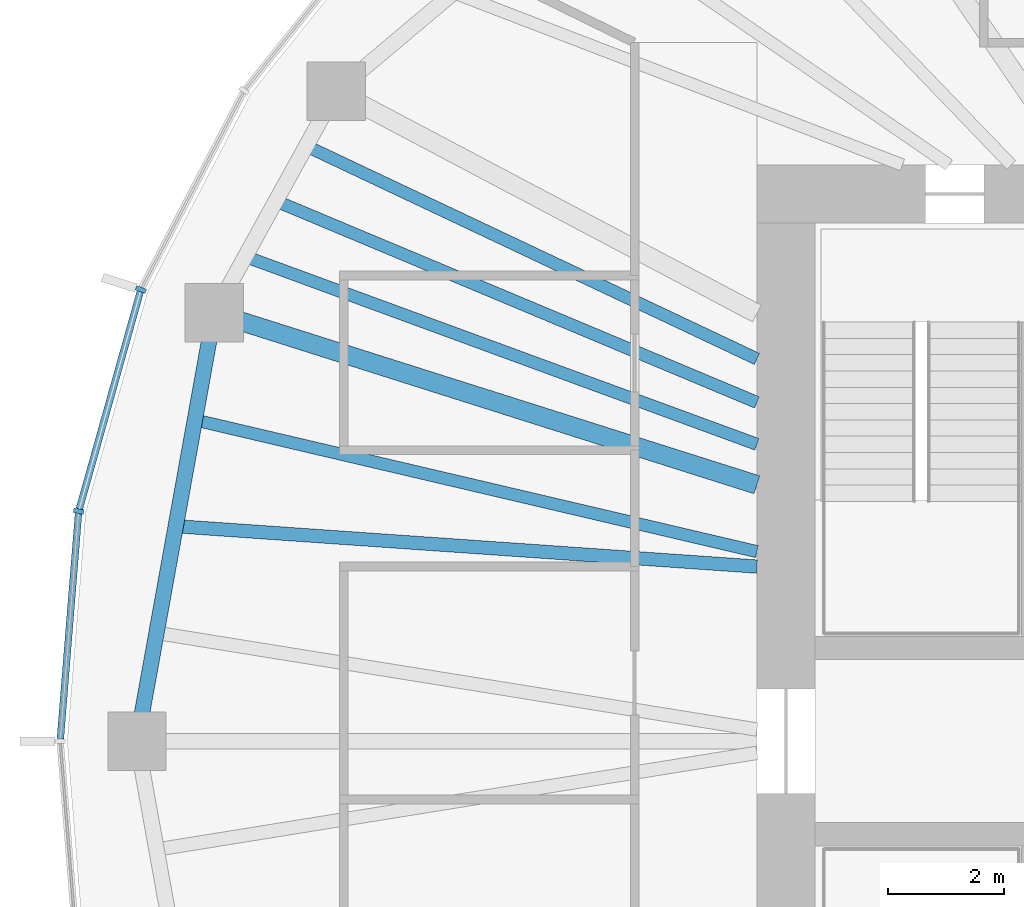
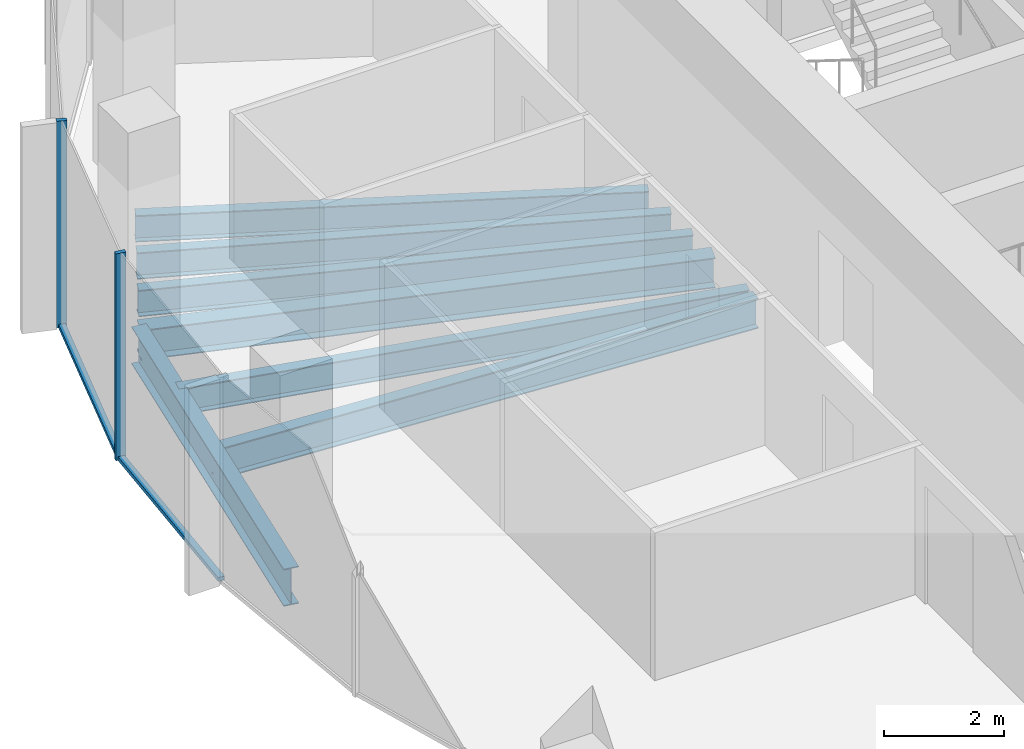
# One storey, part 3 of 11: 7 beams, 4 members, 1 element without a shape of its own.
"""IFC4 building model written with IfcOpenShell, lengths in metres."""

import ifcopenshell
import ifcopenshell.guid

model = None  # the IFC model being written
_history = None  # IfcOwnerHistory: only IFC2X3 demands one
_inside = {}  # id of a spatial element -> (the spatial element, [elements in it])
_under = {}  # id of a project, library or spatial element -> (it, [spatial elements below it])
_declared = {}  # id of a project -> (the project, [libraries it declares])
_typed = {}  # id of a type object -> (the type object, [elements of that type])
_made_of = {}  # id of a material, layer set ... -> (it, [elements and type objects made of it])


def new_model(schema):
    """Start an empty IFC model of exactly this schema.

    Asked for "IFC4X3", IfcOpenShell would pick the latest addendum, in which some entities
    have other attributes; the version numbers below select the first issue.
    IFC2X3 requires an IfcOwnerHistory on every rooted entity: one is made here for all.
    """
    global model, _history
    if schema == "IFC4X3":
        model = ifcopenshell.file(schema_version=(4, 3, 0, 0))
    else:
        model = ifcopenshell.file(schema=schema)
    _inside.clear()
    _under.clear()
    _declared.clear()
    _typed.clear()
    _made_of.clear()
    _history = None
    if model.schema == "IFC2X3":
        org = make("IfcOrganization", Name="unknown")
        user = make(
            "IfcPersonAndOrganization",
            ThePerson=make("IfcPerson", FamilyName="unknown"),
            TheOrganization=org,
        )
        app = make(
            "IfcApplication",
            ApplicationDeveloper=org,
            Version="unknown",
            ApplicationFullName="unknown",
            ApplicationIdentifier="unknown",
        )
        _history = make(
            "IfcOwnerHistory",
            OwningUser=user,
            OwningApplication=app,
            ChangeAction="ADDED",
            CreationDate=0,
        )
    return model


def make(cls, **values):
    """One entity of the class cls with the attributes given. An attribute that is None is left unset."""
    return model.create_entity(
        cls, **{name: value for name, value in values.items() if value is not None}
    )


def rooted(cls, **values):
    """An entity with a GlobalId (a new one), such as an element, a storey or a relation."""
    return make(cls, GlobalId=ifcopenshell.guid.new(), OwnerHistory=_history, **values)


def si_unit(unit_type, name, prefix=None):
    """IfcSIUnit, for example si_unit("LENGTHUNIT", "METRE", prefix="MILLI")."""
    return make("IfcSIUnit", UnitType=unit_type, Prefix=prefix, Name=name)


def assignment(units):
    """IfcUnitAssignment: the units of a project."""
    return None if units is None else make("IfcUnitAssignment", Units=units)


def point(xyz):
    """IfcCartesianPoint."""
    return None if xyz is None else make("IfcCartesianPoint", Coordinates=xyz)


def direction(xyz):
    """IfcDirection."""
    return None if xyz is None else make("IfcDirection", DirectionRatios=xyz)


def frame(location, z_axis=None, x_axis=None):
    """IfcAxis2Placement3D, a coordinate frame: its origin and axes. An axis left out is left unset."""
    return make(
        "IfcAxis2Placement3D",
        Location=point(location),
        Axis=direction(z_axis),
        RefDirection=direction(x_axis),
    )


def frame_2d(location, x_axis=None):
    """IfcAxis2Placement2D, a coordinate frame in the plane: its origin and x axis."""
    return make(
        "IfcAxis2Placement2D", Location=point(location), RefDirection=direction(x_axis)
    )


def origin():
    """The frame at (0, 0, 0) with its axes left unset."""
    return frame((0.0, 0.0, 0.0))


def origin_2d():
    """The frame at (0, 0) in the plane with its x axis left unset."""
    return frame_2d((0.0, 0.0))


def place(relative_to, where):
    """IfcLocalPlacement: puts the frame where relative to a parent placement (None: the world)."""
    return make(
        "IfcLocalPlacement", PlacementRelTo=relative_to, RelativePlacement=where
    )


def context(
    kind, dimensions, precision=None, world=None, true_north=None, identifier=None
):
    """IfcGeometricRepresentationContext, for example the 3D "Model" context."""
    return make(
        "IfcGeometricRepresentationContext",
        ContextIdentifier=identifier,
        ContextType=kind,
        CoordinateSpaceDimension=dimensions,
        Precision=precision,
        WorldCoordinateSystem=world,
        TrueNorth=true_north,
    )


def subcontext(parent, identifier, kind, view, scale=None):
    """IfcGeometricRepresentationSubContext, for example "Body" below "Model"."""
    return make(
        "IfcGeometricRepresentationSubContext",
        ContextIdentifier=identifier,
        ContextType=kind,
        ParentContext=parent,
        TargetScale=scale,
        TargetView=view,
    )


def project(units=None, contexts=None):
    """IfcProject with its units and contexts."""
    return rooted(
        "IfcProject",
        Name="project",
        RepresentationContexts=contexts,
        UnitsInContext=assignment(units),
    )


def spatial(cls, under=None, at=None, **own):
    """A site, building, storey or space (cls), placed at a placement, below another one or the project."""
    s = rooted(cls, ObjectPlacement=at, **own)
    if under is not None:
        _under.setdefault(under.id(), (under, []))[1].append(s)
    return s


def profile(cls, at=None, kind="AREA", **sizes):
    """A parametric profile (cls). Its sizes go by their IFC names, for example OverallWidth=200.0."""
    return make(cls, ProfileType=kind, Position=at, **sizes)


def rectangle(**sizes):
    """IfcRectangleProfileDef."""
    return profile("IfcRectangleProfileDef", **sizes)


def i_section(**sizes):
    """IfcIShapeProfileDef."""
    return profile("IfcIShapeProfileDef", **sizes)


def extrude(swept, where, along, depth):
    """IfcExtrudedAreaSolid: the profile swept, set in the frame where, extruded along a direction by depth."""
    return make(
        "IfcExtrudedAreaSolid",
        SweptArea=swept,
        Position=where,
        ExtrudedDirection=direction(along),
        Depth=depth,
    )


def shape(context_of_items, identifier, shape_type, items):
    """IfcShapeRepresentation: the items that make up one representation, for example the "Body"."""
    return make(
        "IfcShapeRepresentation",
        ContextOfItems=context_of_items,
        RepresentationIdentifier=identifier,
        RepresentationType=shape_type,
        Items=items,
    )


def material(Name=None, Category=None):
    """IfcMaterial."""
    return make("IfcMaterial", Name=Name, Category=Category)


def material_profile(
    of_material, cross_section, Name=None, Category=None, Priority=None
):
    """IfcMaterialProfile: a cross section and its material."""
    return make(
        "IfcMaterialProfile",
        Name=Name,
        Material=of_material,
        Profile=cross_section,
        Priority=Priority,
        Category=Category,
    )


def profile_set(profiles, Name=None, composite=None):
    """IfcMaterialProfileSet."""
    return make(
        "IfcMaterialProfileSet",
        Name=Name,
        MaterialProfiles=profiles,
        CompositeProfile=composite,
    )


def made_of(thing, what):
    """Note that an element or type object is made of a material, layer set ...; save() writes the relation."""
    if what is not None:
        _made_of.setdefault(what.id(), (what, []))[1].append(thing)
    return thing


def type_object(cls, material=None, **own):
    """A type object (cls), such as IfcWallType, which elements share."""
    return made_of(rooted(cls, **own), material)


def element(
    cls,
    number,
    at=None,
    inside=None,
    cuts=None,
    type_object=None,
    material=None,
    context=None,
    identifier="Body",
    shape_type=None,
    held_by="IfcProductDefinitionShape",
    body=None,
    shapes=None,
    **own,
):
    """One element of the class cls, such as IfcWall. Its Tag is "e" and its number.

    at: its placement. inside: the storey or other place that contains it. cuts: it is an
    opening in that element (IfcRelVoidsElement). A single representation is given by context,
    identifier, shape_type and body (its items); several are given by shapes. held_by: the class
    of the entity that holds the representations. save() writes the other relations.
    """
    e = rooted(cls, Tag="e%d" % number, ObjectPlacement=at, **own)
    if body is not None:
        shapes = [shape(context, identifier, shape_type, body)]
    if shapes is not None:
        e.Representation = make(held_by, Representations=shapes)
    if inside is not None:
        _inside.setdefault(inside.id(), (inside, []))[1].append(e)
    if cuts is not None:
        rooted(
            "IfcRelVoidsElement", RelatingBuildingElement=cuts, RelatedOpeningElement=e
        )
    if type_object is not None:
        _typed.setdefault(type_object.id(), (type_object, []))[1].append(e)
    return made_of(e, material)


def aggregate(whole, parts):
    """IfcRelAggregates: a whole, such as a stair, and the parts it consists of."""
    return rooted("IfcRelAggregates", RelatingObject=whole, RelatedObjects=parts)


def save(model, path):
    """Write the relations noted so far, then the file.

    IfcRelAggregates (storeys below a building ...), IfcRelContainedInSpatialStructure (elements
    in a storey), IfcRelDefinesByType, IfcRelAssociatesMaterial and IfcRelDeclares: one each for
    every whole, place, type object, material and project.
    """
    for whole, parts in _under.values():
        aggregate(whole, parts)
    for where, things in _inside.values():
        rooted(
            "IfcRelContainedInSpatialStructure",
            RelatedElements=things,
            RelatingStructure=where,
        )
    for kind, things in _typed.values():
        rooted("IfcRelDefinesByType", RelatedObjects=things, RelatingType=kind)
    for what, things in _made_of.values():
        rooted("IfcRelAssociatesMaterial", RelatedObjects=things, RelatingMaterial=what)
    for by, libraries in _declared.values():
        rooted("IfcRelDeclares", RelatingContext=by, RelatedDefinitions=libraries)
    model.write(path)


model = new_model("IFC4")

# Units and contexts
model_context = context("Model", 3, precision=1e-05, world=origin(), true_north=direction((0.0, 1.0)))
body_context = subcontext(model_context, "Body", "Model", "MODEL_VIEW")
ifc_project = project(units=[si_unit("LENGTHUNIT", "METRE"), si_unit("AREAUNIT", "SQUARE_METRE"), si_unit("VOLUMEUNIT", "CUBIC_METRE"), si_unit("PLANEANGLEUNIT", "RADIAN"), si_unit("MASSUNIT", "GRAM", prefix="KILO")], contexts=[model_context])

# Site, building, storey
site_placement = place(None, origin())
site = spatial("IfcSite", under=ifc_project, at=site_placement, CompositionType="ELEMENT")
building_placement = place(site_placement, origin())
building = spatial("IfcBuilding", under=site, at=building_placement, Name="Ghaith Harvest Tower", CompositionType="ELEMENT")
storey_placement = place(building_placement, frame((0.0, 0.0, 330.0)))
storey = spatial("IfcBuildingStorey", under=building, at=storey_placement, Name="L74", CompositionType="ELEMENT", Elevation=330.0)

# Curtain wall, members
ifc_material_1 = material(Name="Black anodised aluminium and fritted glass", Category="aluminium")
curtain_wall_type = type_object("IfcCurtainWallType", Name="CW-T CURTAIN WALL", PredefinedType="NOTDEFINED", material=ifc_material_1)
curtain_wall_placement = place(storey_placement, origin())
curtain_wall = element("IfcCurtainWall", 1, at=curtain_wall_placement, inside=storey, type_object=curtain_wall_type, Name="Curtain wall CW-T bay 10 L74", PredefinedType="NOTDEFINED")
ifc_material_2 = material(Name="Aluminium, black anodised", Category="aluminium")
ifc_material_profile_1 = material_profile(ifc_material_2, rectangle(XDim=0.080078125, YDim=0.179931640625, at=origin_2d()), Name="CW-T MULLION 80x180")
ifc_profile_set_1 = profile_set([ifc_material_profile_1], Name="Aluminium, black anodised")
member_type_1 = type_object("IfcMemberType", Name="CW-T MULLION 80x180", PredefinedType="MULLION", material=ifc_profile_set_1)
member_1_placement = place(storey_placement, frame((-24.482666015625, 7.759033203125, 0.0), z_axis=(0.0, 0.0, 1.0), x_axis=(-0.366473104961, -0.930428644948, 0.0)))
member_1 = element("IfcMember", 2, at=member_1_placement, type_object=member_type_1, Name="CW-T mullion 1 bay 10 L74", PredefinedType="MULLION", context=body_context, shape_type="SweptSolid", body=[
    extrude(rectangle(XDim=0.080078125, YDim=0.179931640625, at=origin_2d()), origin(), (0.0, 0.0, 1.0), 4.199951171875),
])
member_2_placement = place(storey_placement, frame((-25.5517578125, 3.9521484375, 0.0), z_axis=(0.0, 0.0, 1.0), x_axis=(-0.176001390642, -0.984389917915, 0.0)))
member_2 = element("IfcMember", 3, at=member_2_placement, type_object=member_type_1, Name="CW-T mullion 2 bay 10 L74", PredefinedType="MULLION", context=body_context, shape_type="SweptSolid", body=[
    extrude(rectangle(XDim=0.080078125, YDim=0.179931640625, at=origin_2d()), origin(), (0.0, 0.0, 1.0), 4.199951171875),
])
ifc_material_3 = material(Name="Aluminium, black anodised", Category="aluminium")
ifc_material_profile_2 = material_profile(ifc_material_3, rectangle(XDim=0.1201171875, YDim=0.080078125, at=origin_2d()), Name="CW-T TRANSOM 120x80")
ifc_profile_set_2 = profile_set([ifc_material_profile_2], Name="Aluminium, black anodised")
member_type_2 = type_object("IfcMemberType", Name="CW-T TRANSOM 120x80", PredefinedType="USERDEFINED", material=ifc_profile_set_2)
member_3_placement = place(storey_placement, frame((-24.49365234375, 7.720458984375, 0.0400390625), z_axis=(-0.270340422972, -0.962764797709, 0.0), x_axis=(0.962764797709, -0.270340422972, 0.0)))
member_3 = element("IfcMember", 4, at=member_3_placement, type_object=member_type_2, Name="CW-T transom 1 bay 10 L74", ObjectType="TRANSOM", PredefinedType="USERDEFINED", context=body_context, shape_type="SweptSolid", body=[
    extrude(rectangle(XDim=0.1201171875, YDim=0.080078125, at=origin_2d()), origin(), (0.0, 0.0, 1.0), 3.874267578125),
])
member_4_placement = place(storey_placement, frame((-25.554931640625, 3.912109375, 0.0400390625), z_axis=(-0.08025226314, -0.996774585481, 0.0), x_axis=(0.996774585481, -0.08025226314, 0.0)))
member_4 = element("IfcMember", 5, at=member_4_placement, type_object=member_type_2, Name="CW-T transom 2 bay 10 L74", ObjectType="TRANSOM", PredefinedType="USERDEFINED", context=body_context, shape_type="SweptSolid", body=[
    extrude(rectangle(XDim=0.1201171875, YDim=0.080078125, at=origin_2d()), origin(), (0.0, 0.0, 1.0), 3.884765625),
])
aggregate(curtain_wall, [member_1, member_3, member_2, member_4])

# Beams
ifc_material_4 = material(Name="Steel ASTM A992 Grade 50", Category="steel")
ifc_material_profile_3 = material_profile(ifc_material_4, i_section(OverallWidth=0.26611328125, OverallDepth=0.758056640625, WebThickness=0.013916015625, FlangeThickness=0.019287109375, at=origin_2d()), Name="W760X161")
ifc_profile_set_3 = profile_set([ifc_material_profile_3], Name="Steel ASTM A992 Grade 50")
beam_type_1 = type_object("IfcBeamType", Name="E760-161 W760X161", PredefinedType="SPANDREL", material=ifc_profile_set_3)
beam_1_placement = place(storey_placement, frame((-23.22412109375, 7.360107421875, -0.549072265625), z_axis=(-0.177296554745, -0.984157473007, 0.0), x_axis=(0.984157473007, -0.177296554745, 0.0)))
element("IfcBeam", 6, at=beam_1_placement, inside=storey, type_object=beam_type_1, Name="Edge beam E10 L74", PredefinedType="SPANDREL", context=body_context, shape_type="SweptSolid", body=[
    extrude(i_section(OverallWidth=0.26611328125, OverallDepth=0.758056640625, WebThickness=0.013916015625, FlangeThickness=0.019287109375, at=origin_2d()), origin(), (0.0, 0.0, 1.0), 7.478515625),
])
ifc_material_5 = material(Name="Steel ASTM A992 Grade 50", Category="steel")
ifc_material_profile_4 = material_profile(ifc_material_5, i_section(OverallWidth=0.323974609375, OverallDepth=0.611083984375, WebThickness=0.0126953125, FlangeThickness=0.01904296875, at=origin_2d()), Name="W610X155")
ifc_profile_set_4 = profile_set([ifc_material_profile_4], Name="Steel ASTM A992 Grade 50")
beam_type_2 = type_object("IfcBeamType", Name="G610-155 W610X155", PredefinedType="BEAM", material=ifc_profile_set_4)
beam_2_placement = place(storey_placement, frame((-13.89990234375, 4.4052734375, -0.4755859375), z_axis=(-0.953278508772, 0.302092841215, 0.0), x_axis=(-0.302092841215, -0.953278508772, 0.0)))
element("IfcBeam", 7, at=beam_2_placement, inside=storey, type_object=beam_type_2, Name="Radial girder G10 L74", PredefinedType="BEAM", context=body_context, shape_type="SweptSolid", body=[
    extrude(i_section(OverallWidth=0.323974609375, OverallDepth=0.611083984375, WebThickness=0.0126953125, FlangeThickness=0.01904296875, at=origin_2d()), origin(), (0.0, 0.0, 1.0), 9.78125),
])
ifc_material_6 = material(Name="Steel ASTM A992 Grade 50", Category="steel")
ifc_material_profile_5 = material_profile(ifc_material_6, i_section(OverallWidth=0.2109375, OverallDepth=0.5390625, WebThickness=0.01171875, FlangeThickness=0.018798828125, at=origin_2d()), Name="W530X109")
ifc_profile_set_5 = profile_set([ifc_material_profile_5], Name="Steel ASTM A992 Grade 50")
beam_type_3 = type_object("IfcBeamType", Name="J530-109 W530X109", PredefinedType="JOIST", material=ifc_profile_set_5)
beam_3_placement = place(storey_placement, frame((-13.89990234375, 6.56787109375, -0.439453125), z_axis=(-0.904165769726, 0.427181765594, 0.0), x_axis=(-0.427181765594, -0.904165769726, 0.0)))
element("IfcBeam", 8, at=beam_3_placement, inside=storey, type_object=beam_type_3, Name="Joist J09.1 L74", PredefinedType="JOIST", context=body_context, shape_type="SweptSolid", body=[
    extrude(i_section(OverallWidth=0.2109375, OverallDepth=0.5390625, WebThickness=0.01171875, FlangeThickness=0.018798828125, at=origin_2d()), origin(), (0.0, 0.0, 1.0), 8.564208984375),
])
beam_4_placement = place(storey_placement, frame((-13.89990234375, 5.82080078125, -0.439453125), z_axis=(-0.922394258818, 0.38624970071, 0.0), x_axis=(-0.38624970071, -0.922394258818, 0.0)))
element("IfcBeam", 9, at=beam_4_placement, inside=storey, type_object=beam_type_3, Name="Joist J09.2 L74", PredefinedType="JOIST", context=body_context, shape_type="SweptSolid", body=[
    extrude(i_section(OverallWidth=0.2109375, OverallDepth=0.5390625, WebThickness=0.01171875, FlangeThickness=0.018798828125, at=origin_2d()), origin(), (0.0, 0.0, 1.0), 8.959716796875),
])
beam_5_placement = place(storey_placement, frame((-13.89990234375, 5.101318359375, -0.439453125), z_axis=(-0.938776837502, 0.34452583266, 0.0), x_axis=(-0.34452583266, -0.938776837502, 0.0)))
element("IfcBeam", 10, at=beam_5_placement, inside=storey, type_object=beam_type_3, Name="Joist J09.3 L74", PredefinedType="JOIST", context=body_context, shape_type="SweptSolid", body=[
    extrude(i_section(OverallWidth=0.2109375, OverallDepth=0.5390625, WebThickness=0.01171875, FlangeThickness=0.018798828125, at=origin_2d()), origin(), (0.0, 0.0, 1.0), 9.36376953125),
])
beam_6_placement = place(storey_placement, frame((-13.89990234375, 3.257080078125, -0.439453125), z_axis=(-0.973623403271, 0.228161058472, 0.0), x_axis=(-0.228161058472, -0.973623403271, 0.0)))
element("IfcBeam", 11, at=beam_6_placement, inside=storey, type_object=beam_type_3, Name="Joist J10.1 L74", PredefinedType="JOIST", context=body_context, shape_type="SweptSolid", body=[
    extrude(i_section(OverallWidth=0.2109375, OverallDepth=0.5390625, WebThickness=0.01171875, FlangeThickness=0.018798828125, at=origin_2d()), origin(), (0.0, 0.0, 1.0), 9.9169921875),
])
ifc_material_7 = material(Name="Steel ASTM A992 Grade 50", Category="steel")
ifc_material_profile_6 = material_profile(ifc_material_7, i_section(OverallWidth=0.22998046875, OverallDepth=0.616943359375, WebThickness=0.01318359375, FlangeThickness=0.022216796875, at=origin_2d()), Name="W610X140")
ifc_profile_set_6 = profile_set([ifc_material_profile_6], Name="Steel ASTM A992 Grade 50")
beam_type_4 = type_object("IfcBeamType", Name="J610-140 W610X140", PredefinedType="JOIST", material=ifc_profile_set_6)
beam_7_placement = place(storey_placement, frame((-13.89990234375, 3.0, -0.478515625), z_axis=(-0.997592478057, 0.069348739886, 0.0), x_axis=(-0.069348739886, -0.997592478057, 0.0)))
element("IfcBeam", 12, at=beam_7_placement, inside=storey, type_object=beam_type_4, Name="Joist J10.2 L74", PredefinedType="JOIST", context=body_context, shape_type="SweptSolid", body=[
    extrude(i_section(OverallWidth=0.22998046875, OverallDepth=0.616943359375, WebThickness=0.01318359375, FlangeThickness=0.022216796875, at=origin_2d()), origin(), (0.0, 0.0, 1.0), 10.0087890625),
])

save(model, "model.ifc")
